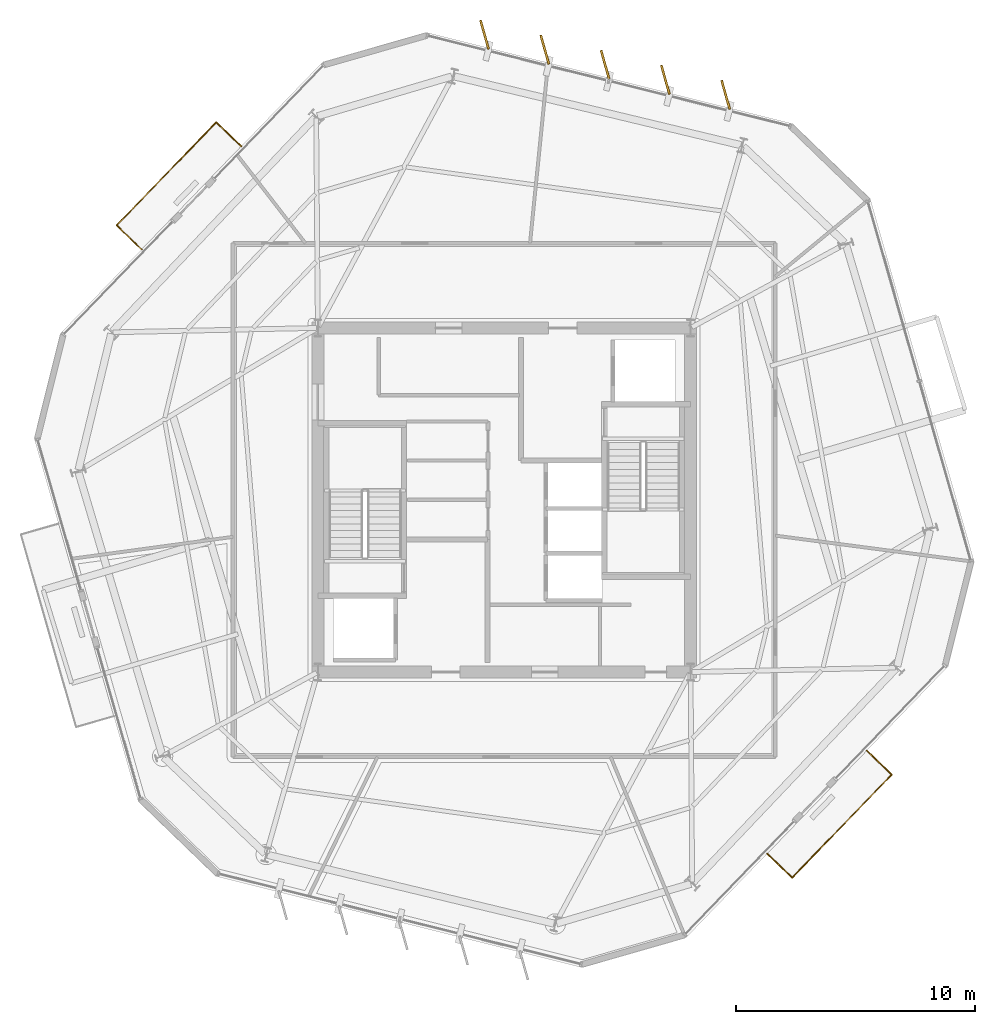
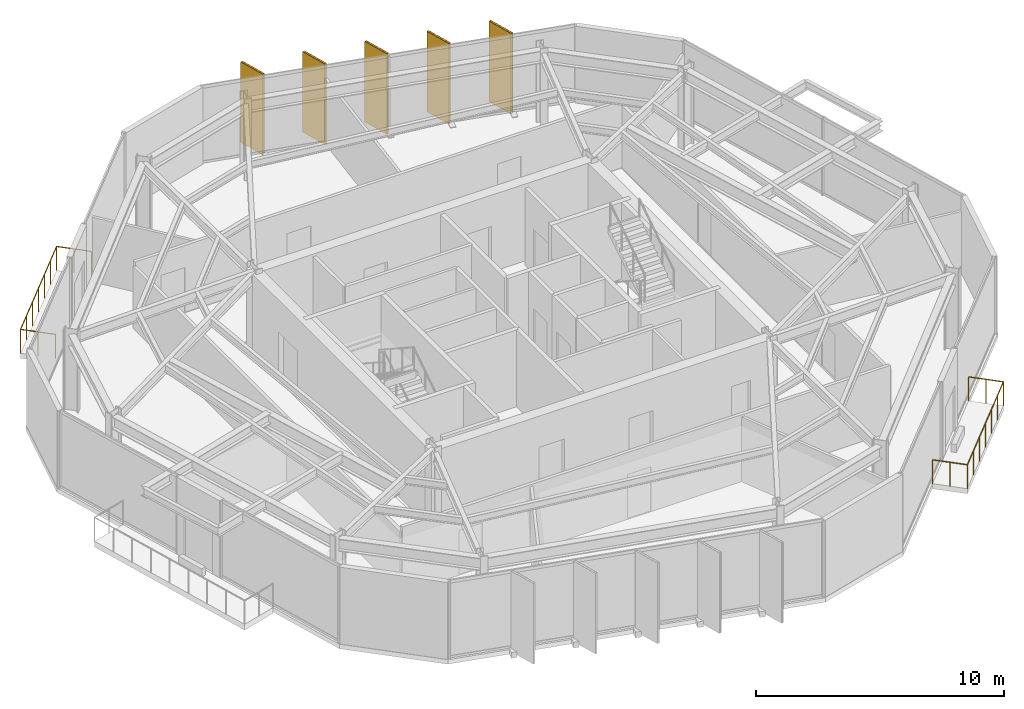
# One storey, part 11 of 11: 5 coverings, 5 shading devices, 2 railings.
"""IFC4 building model written with IfcOpenShell, lengths in metres."""

from ifc_helpers import new_model, si_unit, direction, frame, origin, origin_2d, place, context, subcontext, project, spatial, rectangle, circle, extrude, material, layer, layer_set, type_object, element, save


model = new_model("IFC4")

# Units and contexts
model_context = context("Model", 3, precision=1e-05, world=origin(), true_north=direction((0.0, 1.0)))
body_context = subcontext(model_context, "Body", "Model", "MODEL_VIEW")
ifc_project = project(units=[si_unit("LENGTHUNIT", "METRE"), si_unit("AREAUNIT", "SQUARE_METRE"), si_unit("VOLUMEUNIT", "CUBIC_METRE"), si_unit("PLANEANGLEUNIT", "RADIAN"), si_unit("MASSUNIT", "GRAM", prefix="KILO")], contexts=[model_context])

# Site, building, storey
site_placement = place(None, origin())
site = spatial("IfcSite", under=ifc_project, at=site_placement, CompositionType="ELEMENT")
building_placement = place(site_placement, origin())
building = spatial("IfcBuilding", under=site, at=building_placement, Name="Kranzbogen Civic Tower", CompositionType="ELEMENT")
storey_placement = place(building_placement, frame((0.0, 0.0, 208.800048828125)))
storey = spatial("IfcBuildingStorey", under=building, at=storey_placement, Name="L50", CompositionType="ELEMENT", Elevation=208.800048828125)

# Coverings
ifc_material_1 = material(Name="Pale Anodised Aluminium", Category="aluminium")
ifc_layer = layer(ifc_material_1, 0.02490234375, Name="Pale Anodised Aluminium")
ifc_layer_set = layer_set([ifc_layer], Name="Pale Anodised Aluminium")
covering_type = type_object("IfcCoveringType", Name="Anodised Aluminium Vertical Fin Cladding 25 mm", PredefinedType="CLADDING", material=ifc_layer_set)
for number, where, z_axis, x_axis, name in (
    (1, (34.26806640625, 41.955078125, -0.14013671875), (0.0, 0.0, 1.0), (-0.268734901722, 0.963214177946, 0.0), "L50 vertical fin pale-metal cladding F1-1"),
    (2, (31.74609375, 42.583984375, -0.14013671875), (0.0, 0.0, 1.0), (-0.268734901722, 0.963214177946, 0.0), "L50 vertical fin pale-metal cladding F1-2"),
    (3, (29.222900390625, 43.212890625, -0.14013671875), (0.0, 0.0, 1.0), (-0.268734901722, 0.963214177946, 0.0), "L50 vertical fin pale-metal cladding F1-3"),
    (4, (26.699951171875, 43.842041015625, -0.14013671875), (0.0, 0.0, 1.0), (-0.268734901722, 0.963214177946, 0.0), "L50 vertical fin pale-metal cladding F1-4"),
    (5, (24.177001953125, 44.470947265625, -0.14013671875), (0.0, 0.0, 1.0), (-0.268734901722, 0.963214177946, 0.0), "L50 vertical fin pale-metal cladding F1-5"),
):
    element("IfcCovering", number, at=place(storey_placement, frame(where, z_axis=z_axis, x_axis=x_axis)), inside=storey, type_object=covering_type, Name=name, PredefinedType="CLADDING", context=body_context, shape_type="SweptSolid", body=[
        extrude(rectangle(XDim=1.25, YDim=0.10009765625, at=origin_2d()), origin(), (0.0, 0.0, 1.0), 3.9599609375),
    ])

# Shading devices
ifc_material_2 = material(Name="Anodised Bronze Aluminium", Category="aluminium")
shading_device_type = type_object("IfcShadingDeviceType", Name="Anodised Bronze Vertical Facade Fin 1250x80", PredefinedType="USERDEFINED", material=ifc_material_2)
for number, where, z_axis, x_axis, name in (
    (6, (34.26806640625, 41.955078125, -0.14013671875), (0.0, 0.0, 1.0), (-0.268734901722, 0.963214177946, 0.0), "L50 vertical exterior shading fin F1-1"),
    (7, (31.74609375, 42.583984375, -0.14013671875), (0.0, 0.0, 1.0), (-0.268734901722, 0.963214177946, 0.0), "L50 vertical exterior shading fin F1-2"),
    (8, (29.222900390625, 43.212890625, -0.14013671875), (0.0, 0.0, 1.0), (-0.268734901722, 0.963214177946, 0.0), "L50 vertical exterior shading fin F1-3"),
    (9, (26.699951171875, 43.842041015625, -0.14013671875), (0.0, 0.0, 1.0), (-0.268734901722, 0.963214177946, 0.0), "L50 vertical exterior shading fin F1-4"),
    (10, (24.177001953125, 44.470947265625, -0.14013671875), (0.0, 0.0, 1.0), (-0.268734901722, 0.963214177946, 0.0), "L50 vertical exterior shading fin F1-5"),
):
    element("IfcShadingDevice", number, at=place(storey_placement, frame(where, z_axis=z_axis, x_axis=x_axis)), inside=storey, type_object=shading_device_type, Name=name, ObjectType="FIN", PredefinedType="USERDEFINED", context=body_context, shape_type="SweptSolid", body=[
        extrude(rectangle(XDim=1.25, YDim=0.080078125, at=origin_2d()), origin(), (0.0, 0.0, 1.0), 3.9599609375),
    ])

# Railings
railing_type = type_object("IfcRailingType", Name="Cantilevered Balcony Glass and Bronze Balustrade 1200", PredefinedType="BALUSTRADE", material=ifc_material_2)
railing_1_placement = place(storey_placement, frame((13.991943359375, 39.801025390625, 0.0)))
element("IfcRailing", 11, at=railing_1_placement, inside=storey, type_object=railing_type, Name="L50 exterior terrace balustrade L50-TB1", PredefinedType="BALUSTRADE", context=body_context, shape_type="SweptSolid", body=[
    extrude(circle(Radius=0.02392578125, at=origin_2d()), frame((0.0, 0.0, 1.17578125), z_axis=(-0.719375346224, 0.694621559732, 0.0), x_axis=(-0.694621559732, -0.719375346224, 0.0)), (0.0, 0.0, 1.0), 1.44970703125),
    extrude(circle(Radius=0.02392578125, at=origin_2d()), frame((-1.04296875, 1.007080078125, 1.17578125), z_axis=(-0.694649699023, -0.719348174146, 0.0), x_axis=(0.719348174146, -0.694649699023, 0.0)), (0.0, 0.0, 1.0), 6.0),
    extrude(circle(Radius=0.02392578125, at=origin_2d()), frame((-5.2109375, -3.30908203125, 1.17578125), z_axis=(0.719459495749, -0.694534400859, 0.0), x_axis=(0.694534400859, 0.719459495749, 0.0)), (0.0, 0.0, 1.0), 1.44970703125),
    extrude(circle(Radius=0.02099609375, at=origin_2d()), origin(), (0.0, 0.0, 1.0), 1.15185546875),
    extrude(circle(Radius=0.02099609375, at=origin_2d()), frame((-0.521484375, 0.50341796875, 0.0)), (0.0, 0.0, 1.0), 1.15185546875),
    extrude(circle(Radius=0.02099609375, at=origin_2d()), frame((-1.04296875, 1.007080078125, 0.0)), (0.0, 0.0, 1.0), 1.15185546875),
    extrude(circle(Radius=0.02099609375, at=origin_2d()), frame((-1.737548828125, 0.28759765625, 0.0)), (0.0, 0.0, 1.0), 1.15185546875),
    extrude(circle(Radius=0.02099609375, at=origin_2d()), frame((-2.432373046875, -0.431640625, 0.0)), (0.0, 0.0, 1.0), 1.15185546875),
    extrude(circle(Radius=0.02099609375, at=origin_2d()), frame((-3.126953125, -1.15087890625, 0.0)), (0.0, 0.0, 1.0), 1.15185546875),
    extrude(circle(Radius=0.02099609375, at=origin_2d()), frame((-3.821533203125, -1.870361328125, 0.0)), (0.0, 0.0, 1.0), 1.15185546875),
    extrude(circle(Radius=0.02099609375, at=origin_2d()), frame((-4.516357421875, -2.58984375, 0.0)), (0.0, 0.0, 1.0), 1.15185546875),
    extrude(circle(Radius=0.02099609375, at=origin_2d()), frame((-5.2109375, -3.30908203125, 0.0)), (0.0, 0.0, 1.0), 1.15185546875),
    extrude(circle(Radius=0.02099609375, at=origin_2d()), frame((-4.689453125, -3.8125, 0.0)), (0.0, 0.0, 1.0), 1.15185546875),
    extrude(circle(Radius=0.02099609375, at=origin_2d()), frame((-4.16796875, -4.31591796875, 0.0)), (0.0, 0.0, 1.0), 1.15185546875),
])
railing_2_placement = place(storey_placement, frame((36.008056640625, 10.198974609375, 0.0)))
element("IfcRailing", 12, at=railing_2_placement, inside=storey, type_object=railing_type, Name="L50 exterior terrace balustrade L50-TB2", PredefinedType="BALUSTRADE", context=body_context, shape_type="SweptSolid", body=[
    extrude(circle(Radius=0.02392578125, at=origin_2d()), frame((0.0, 0.0, 1.17578125), z_axis=(0.719375346224, -0.694621559732, 0.0), x_axis=(0.694621559732, 0.719375346224, 0.0)), (0.0, 0.0, 1.0), 1.44970703125),
    extrude(circle(Radius=0.02392578125, at=origin_2d()), frame((1.04296875, -1.007080078125, 1.17578125), z_axis=(0.694649699023, 0.719348174146, 0.0), x_axis=(-0.719348174146, 0.694649699023, 0.0)), (0.0, 0.0, 1.0), 6.0),
    extrude(circle(Radius=0.02392578125, at=origin_2d()), frame((5.2109375, 3.30908203125, 1.17578125), z_axis=(-0.719459495749, 0.694534400859, 0.0), x_axis=(-0.694534400859, -0.719459495749, 0.0)), (0.0, 0.0, 1.0), 1.44970703125),
    extrude(circle(Radius=0.02099609375, at=origin_2d()), origin(), (0.0, 0.0, 1.0), 1.15185546875),
    extrude(circle(Radius=0.02099609375, at=origin_2d()), frame((0.521484375, -0.50341796875, 0.0)), (0.0, 0.0, 1.0), 1.15185546875),
    extrude(circle(Radius=0.02099609375, at=origin_2d()), frame((1.04296875, -1.007080078125, 0.0)), (0.0, 0.0, 1.0), 1.15185546875),
    extrude(circle(Radius=0.02099609375, at=origin_2d()), frame((1.737548828125, -0.28759765625, 0.0)), (0.0, 0.0, 1.0), 1.15185546875),
    extrude(circle(Radius=0.02099609375, at=origin_2d()), frame((2.432373046875, 0.431640625, 0.0)), (0.0, 0.0, 1.0), 1.15185546875),
    extrude(circle(Radius=0.02099609375, at=origin_2d()), frame((3.126953125, 1.15087890625, 0.0)), (0.0, 0.0, 1.0), 1.15185546875),
    extrude(circle(Radius=0.02099609375, at=origin_2d()), frame((3.821533203125, 1.870361328125, 0.0)), (0.0, 0.0, 1.0), 1.15185546875),
    extrude(circle(Radius=0.02099609375, at=origin_2d()), frame((4.516357421875, 2.58984375, 0.0)), (0.0, 0.0, 1.0), 1.15185546875),
    extrude(circle(Radius=0.02099609375, at=origin_2d()), frame((5.2109375, 3.30908203125, 0.0)), (0.0, 0.0, 1.0), 1.15185546875),
    extrude(circle(Radius=0.02099609375, at=origin_2d()), frame((4.689453125, 3.8125, 0.0)), (0.0, 0.0, 1.0), 1.15185546875),
    extrude(circle(Radius=0.02099609375, at=origin_2d()), frame((4.16796875, 4.31591796875, 0.0)), (0.0, 0.0, 1.0), 1.15185546875),
])

save(model, "model.ifc")
